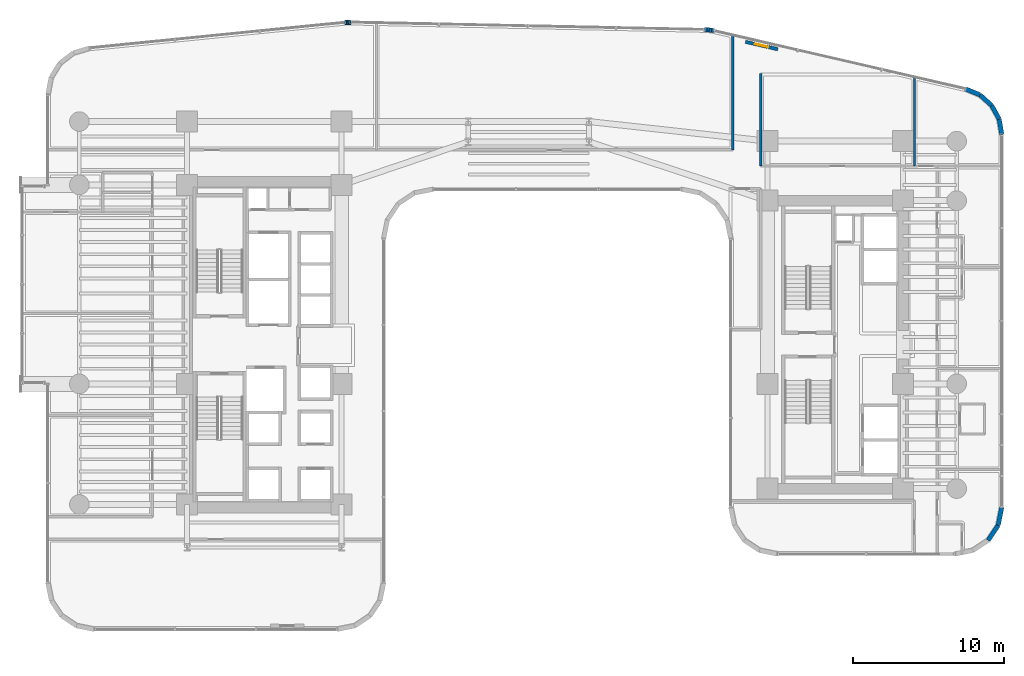
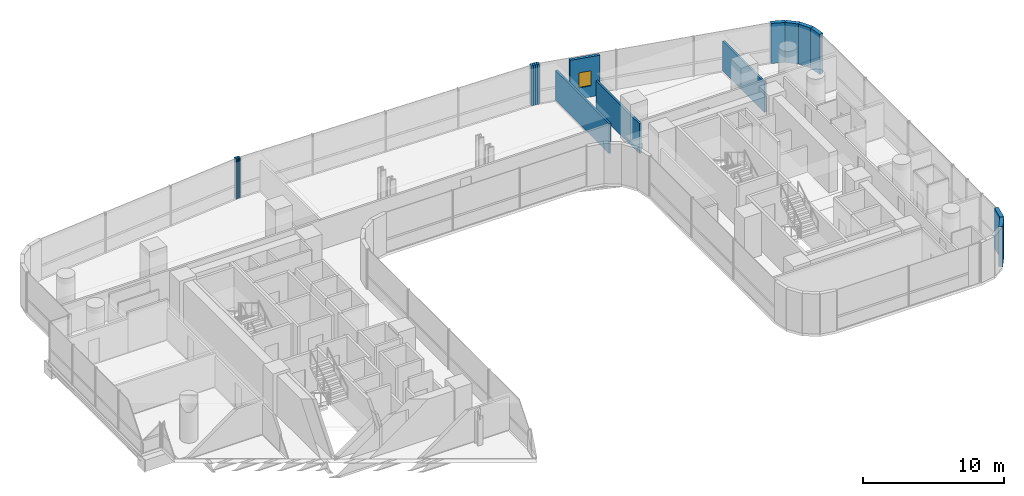
# One storey, part 33 of 39: 18 walls, 1 window, 1 opening.
"""IFC4 building model written with IfcOpenShell, lengths in metres."""

from ifc_helpers import new_model, si_unit, direction, frame, frame_2d, origin, place, context, subcontext, project, spatial, rectangle, extrude, material, layer, layer_set, type_object, element, fill, save


model = new_model("IFC4")

# Units and contexts
model_context = context("Model", 3, precision=1e-05, world=origin(), true_north=direction((0.0, 1.0)))
body_context = subcontext(model_context, "Body", "Model", "MODEL_VIEW")
ifc_project = project(units=[si_unit("LENGTHUNIT", "METRE"), si_unit("AREAUNIT", "SQUARE_METRE"), si_unit("VOLUMEUNIT", "CUBIC_METRE"), si_unit("PLANEANGLEUNIT", "RADIAN"), si_unit("MASSUNIT", "GRAM", prefix="KILO")], contexts=[model_context])

# Site, building, storey
site_placement = place(None, origin())
site = spatial("IfcSite", under=ifc_project, at=site_placement, CompositionType="ELEMENT")
building_placement = place(site_placement, origin())
building = spatial("IfcBuilding", under=site, at=building_placement, Name="Valdorenza Pilgrim Sanctuary Tower", CompositionType="ELEMENT")
storey_placement = place(building_placement, frame((0.0, 0.0, 74.10009765625)))
storey = spatial("IfcBuildingStorey", under=building, at=storey_placement, Name="L18", CompositionType="ELEMENT", Elevation=74.10009765625)

# Walls
ifc_material_1 = material(Name="Acoustic twin-stud gypsum partition", Category="gypsum")
ifc_layer_1 = layer(ifc_material_1, 0.159912109375, Name="Acoustic twin-stud gypsum partition")
ifc_layer_set_1 = layer_set([ifc_layer_1], Name="Acoustic twin-stud gypsum partition")
wall_type_1 = type_object("IfcWallType", Name="WAL-COR-160", PredefinedType="PARTITIONING", material=ifc_layer_set_1)
wall_1_placement = place(storey_placement, frame((13.550048828125, 12.919921875, 0.0), z_axis=(0.0, 0.0, 1.0), x_axis=(0.0, 1.0, 0.0)))
element("IfcWall", 1, at=wall_1_placement, inside=storey, type_object=wall_type_1, Name="L18 North Band East Closure", PredefinedType="PARTITIONING", context=body_context, shape_type="SweptSolid", body=[
    extrude(rectangle(XDim=7.609375, YDim=0.159912109375, at=frame_2d((3.8046875, 0.0))), origin(), (0.0, 0.0, 1.0), 2.5830078125),
])
wall_2_placement = place(storey_placement, frame((15.39990234375, 11.85009765625, 0.0), z_axis=(0.0, 0.0, 1.0), x_axis=(0.0, 1.0, 0.0)))
element("IfcWall", 2, at=wall_2_placement, inside=storey, type_object=wall_type_1, Name="L18 Wing B North West Wall", PredefinedType="PARTITIONING", context=body_context, shape_type="SweptSolid", body=[
    extrude(rectangle(XDim=6.14990234375, YDim=0.159912109375, at=frame_2d((3.074951171875, 0.0))), origin(), (0.0, 0.0, 1.0), 2.5830078125),
])
wall_3_placement = place(storey_placement, frame((25.60009765625, 11.85009765625, 0.0), z_axis=(0.0, 0.0, 1.0), x_axis=(0.0, 1.0, 0.0)))
element("IfcWall", 3, at=wall_3_placement, inside=storey, type_object=wall_type_1, Name="L18 Wing B North East Wall", PredefinedType="PARTITIONING", context=body_context, shape_type="SweptSolid", body=[
    extrude(rectangle(XDim=5.8984375, YDim=0.159912109375, at=frame_2d((2.94921875, 0.0))), origin(), (0.0, 0.0, 1.0), 2.5830078125),
])
ifc_material_2 = material(Name="Honed travertine limestone", Category="masonry")
ifc_layer_2 = layer(ifc_material_2, 0.300048828125, Name="Honed travertine limestone")
ifc_layer_set_2 = layer_set([ifc_layer_2], Name="Honed travertine limestone")
wall_type_2 = type_object("IfcWallType", Name="WAL-EXT-300", PredefinedType="SOLIDWALL", material=ifc_layer_set_2)
wall_4_placement = place(storey_placement, frame((-12.181884765625, 21.371337890625, 0.0), z_axis=(0.0, 0.0, 1.0), x_axis=(0.996527790842, 0.08326080759, 0.0)))
element("IfcWall", 4, at=wall_4_placement, inside=storey, type_object=wall_type_2, Name="L18 Rounded Wind-Corner Stone Pier 7", PredefinedType="SOLIDWALL", context=body_context, shape_type="SweptSolid", body=[
    extrude(rectangle(XDim=0.09375, YDim=0.300048828125, at=frame_2d((0.046875, 0.0))), origin(), (0.0, 0.0, 1.0), 3.4599609375),
])
wall_5_placement = place(storey_placement, frame((-12.08837890625, 21.379150390625, 0.0), z_axis=(0.0, 0.0, 1.0), x_axis=(0.998476480444, 0.055178963393, 0.0)))
element("IfcWall", 5, at=wall_5_placement, inside=storey, type_object=wall_type_2, Name="L18 Rounded Wind-Corner Stone Pier 8", PredefinedType="SOLIDWALL", context=body_context, shape_type="SweptSolid", body=[
    extrude(rectangle(XDim=0.093017578125, YDim=0.300048828125, at=frame_2d((0.04638671875, 0.0))), origin(), (0.0, 0.0, 1.0), 3.4599609375),
])
wall_6_placement = place(storey_placement, frame((-11.99560546875, 21.38427734375, 0.0), z_axis=(0.0, 0.0, 1.0), x_axis=(0.999722573757, 0.023553673204, 0.0)))
element("IfcWall", 6, at=wall_6_placement, inside=storey, type_object=wall_type_2, Name="L18 Rounded Wind-Corner Stone Pier 9", PredefinedType="SOLIDWALL", context=body_context, shape_type="SweptSolid", body=[
    extrude(rectangle(XDim=0.09326171875, YDim=0.300048828125, at=frame_2d((0.046630859375, 0.0))), origin(), (0.0, 0.0, 1.0), 3.4599609375),
])
wall_7_placement = place(storey_placement, frame((-11.90234375, 21.386474609375, 0.0), z_axis=(0.0, 0.0, 1.0), x_axis=(0.999986507273, -0.005194735103, 0.0)))
element("IfcWall", 7, at=wall_7_placement, inside=storey, type_object=wall_type_2, Name="L18 Rounded Wind-Corner Stone Pier 10", PredefinedType="SOLIDWALL", context=body_context, shape_type="SweptSolid", body=[
    extrude(rectangle(XDim=0.093994140625, YDim=0.300048828125, at=frame_2d((0.046875, 0.0))), origin(), (0.0, 0.0, 1.0), 3.4599609375),
])
wall_8_placement = place(storey_placement, frame((11.665771484375, 20.89697265625, 0.0), z_axis=(0.0, 0.0, 1.0), x_axis=(0.998885297239, -0.047203421059, 0.0)))
element("IfcWall", 8, at=wall_8_placement, inside=storey, type_object=wall_type_2, Name="L18 Rounded Wind-Corner Stone Pier 12", PredefinedType="SOLIDWALL", context=body_context, shape_type="SweptSolid", body=[
    extrude(rectangle(XDim=0.160400390625, YDim=0.300048828125, at=frame_2d((0.080078125, 0.0))), origin(), (0.0, 0.0, 1.0), 3.4599609375),
])
wall_9_placement = place(storey_placement, frame((11.825927734375, 20.889404296875, 0.0), z_axis=(0.0, 0.0, 1.0), x_axis=(0.995172891136, -0.098137234257, 0.0)))
element("IfcWall", 9, at=wall_9_placement, inside=storey, type_object=wall_type_2, Name="L18 Rounded Wind-Corner Stone Pier 13", PredefinedType="SOLIDWALL", context=body_context, shape_type="SweptSolid", body=[
    extrude(rectangle(XDim=0.1591796875, YDim=0.300048828125, at=frame_2d((0.07958984375, 0.0))), origin(), (0.0, 0.0, 1.0), 3.4599609375),
])
wall_10_placement = place(storey_placement, frame((11.984375, 20.873779296875, 0.0), z_axis=(0.0, 0.0, 1.0), x_axis=(0.988846069207, -0.148941100486, 0.0)))
element("IfcWall", 10, at=wall_10_placement, inside=storey, type_object=wall_type_2, Name="L18 Rounded Wind-Corner Stone Pier 14", PredefinedType="SOLIDWALL", context=body_context, shape_type="SweptSolid", body=[
    extrude(rectangle(XDim=0.158935546875, YDim=0.300048828125, at=frame_2d((0.07958984375, 0.0))), origin(), (0.0, 0.0, 1.0), 3.4599609375),
])
wall_11_placement = place(storey_placement, frame((12.1416015625, 20.85009765625, 0.0), z_axis=(0.0, 0.0, 1.0), x_axis=(0.979991950448, -0.19903712482, 0.0)))
element("IfcWall", 11, at=wall_11_placement, inside=storey, type_object=wall_type_2, Name="L18 Rounded Wind-Corner Stone Pier 15", PredefinedType="SOLIDWALL", context=body_context, shape_type="SweptSolid", body=[
    extrude(rectangle(XDim=0.16064453125, YDim=0.300048828125, at=frame_2d((0.080322265625, 0.0))), origin(), (0.0, 0.0, 1.0), 3.4599609375),
])

# Wall, opening, window
wall_12_placement = place(storey_placement, frame((14.388671875, 20.089599609375, 0.0), z_axis=(0.0, 0.0, 1.0), x_axis=(0.974400545997, -0.224818984875, 0.0)))
wall_12 = element("IfcWall", 12, at=wall_12_placement, inside=storey, type_object=wall_type_2, Name="L18 Operable Ventilation Sash Jamb Pier", PredefinedType="SOLIDWALL", context=body_context, shape_type="SweptSolid", body=[
    extrude(rectangle(XDim=2.2001953125, YDim=0.219970703125, at=frame_2d((1.10009765625, 0.0))), origin(), (0.0, 0.0, 1.0), 3.4599609375),
])
opening_placement = place(wall_12_placement, frame((0.64990234375, 0.0, 0.949951171875)))
opening = element("IfcOpeningElement", 13, at=opening_placement, cuts=wall_12, Name="Opening WN-OP1", PredefinedType="OPENING", context=body_context, shape_type="SweptSolid", body=[
    extrude(rectangle(XDim=0.89990234375, YDim=1.300048828125, at=frame_2d((0.449951171875, 0.64990234375))), frame((0.0, 0.125, 0.0), z_axis=(0.0, -1.0, 0.0), x_axis=(1.0, 0.0, 0.0)), (0.0, 0.0, 1.0), 0.249755859375),
])
ifc_material_3 = material(Name="Ceramic-fritted low-E IGU glazing", Category="glass")
window_type = type_object("IfcWindowType", Name="WIN-OPN-900", PartitioningType="SINGLE_PANEL", PredefinedType="WINDOW", material=ifc_material_3)
window_placement = place(opening_placement, origin())
window = element("IfcWindow", 14, at=window_placement, inside=storey, type_object=window_type, Name="L18 Parallel-Pop-Out Operable Facade Panel", OverallHeight=1.300048828125, OverallWidth=0.89990234375, PartitioningType="SINGLE_PANEL", PredefinedType="WINDOW", context=body_context, shape_type="SweptSolid", body=[
    extrude(rectangle(XDim=0.89990234375, YDim=1.300048828125, at=frame_2d((0.449951171875, 0.64990234375))), frame((0.0, 0.030029296875, 0.0), z_axis=(0.0, -1.0, 0.0), x_axis=(1.0, 0.0, 0.0)), (0.0, 0.0, 1.0), 0.06005859375),
])
fill(opening, window)

# Walls
wall_13_placement = place(storey_placement, frame((28.98583984375, 16.96728515625, 0.0), z_axis=(0.0, 0.0, 1.0), x_axis=(0.923083852684, -0.384598753136, 0.0)))
element("IfcWall", 15, at=wall_13_placement, inside=storey, type_object=wall_type_2, Name="L18 Rounded Wind-Corner Stone Pier 17", PredefinedType="SOLIDWALL", context=body_context, shape_type="SweptSolid", body=[
    extrude(rectangle(XDim=1.042236328125, YDim=0.300048828125, at=frame_2d((0.52099609375, 0.0))), origin(), (0.0, 0.0, 1.0), 3.4599609375),
])
wall_14_placement = place(storey_placement, frame((29.947998046875, 16.56640625, 0.0), z_axis=(0.0, 0.0, 1.0), x_axis=(0.744585645533, -0.66752694063, 0.0)))
element("IfcWall", 16, at=wall_14_placement, inside=storey, type_object=wall_type_2, Name="L18 Rounded Wind-Corner Stone Pier 18", PredefinedType="SOLIDWALL", context=body_context, shape_type="SweptSolid", body=[
    extrude(rectangle(XDim=1.032958984375, YDim=0.300048828125, at=frame_2d((0.5166015625, 0.0))), origin(), (0.0, 0.0, 1.0), 3.4599609375),
])
wall_15_placement = place(storey_placement, frame((30.717041015625, 15.876953125, 0.0), z_axis=(0.0, 0.0, 1.0), x_axis=(0.482971098131, -0.875636293429, 0.0)))
element("IfcWall", 17, at=wall_15_placement, inside=storey, type_object=wall_type_2, Name="L18 Rounded Wind-Corner Stone Pier 19", PredefinedType="SOLIDWALL", context=body_context, shape_type="SweptSolid", body=[
    extrude(rectangle(XDim=1.03271484375, YDim=0.300048828125, at=frame_2d((0.516357421875, 0.0))), origin(), (0.0, 0.0, 1.0), 3.4599609375),
])
wall_16_placement = place(storey_placement, frame((31.2158203125, 14.97265625, 0.0), z_axis=(0.0, 0.0, 1.0), x_axis=(0.167019462117, -0.985953598946, 0.0)))
element("IfcWall", 18, at=wall_16_placement, inside=storey, type_object=wall_type_2, Name="L18 Rounded Wind-Corner Stone Pier 20", PredefinedType="SOLIDWALL", context=body_context, shape_type="SweptSolid", body=[
    extrude(rectangle(XDim=1.042236328125, YDim=0.300048828125, at=frame_2d((0.52099609375, 0.0))), origin(), (0.0, 0.0, 1.0), 3.4599609375),
])
wall_17_placement = place(storey_placement, frame((31.389892578125, -10.789306640625, 0.0), z_axis=(0.0, 0.0, 1.0), x_axis=(-0.194996050505, -0.980804027463, 0.0)))
element("IfcWall", 19, at=wall_17_placement, inside=storey, type_object=wall_type_2, Name="L18 Rounded Wind-Corner Stone Pier 22", PredefinedType="SOLIDWALL", context=body_context, shape_type="SweptSolid", body=[
    extrude(rectangle(XDim=1.2158203125, YDim=0.300048828125, at=frame_2d((0.60791015625, 0.0))), origin(), (0.0, 0.0, 1.0), 3.4599609375),
])
wall_18_placement = place(storey_placement, frame((31.15283203125, -11.981689453125, 0.0), z_axis=(0.0, 0.0, 1.0), x_axis=(-0.555635100982, -0.831426265255, 0.0)))
element("IfcWall", 20, at=wall_18_placement, inside=storey, type_object=wall_type_2, Name="L18 Rounded Wind-Corner Stone Pier 23", PredefinedType="SOLIDWALL", context=body_context, shape_type="SweptSolid", body=[
    extrude(rectangle(XDim=1.204833984375, YDim=0.300048828125, at=frame_2d((0.6025390625, 0.0))), origin(), (0.0, 0.0, 1.0), 3.4599609375),
])

save(model, "model.ifc")
